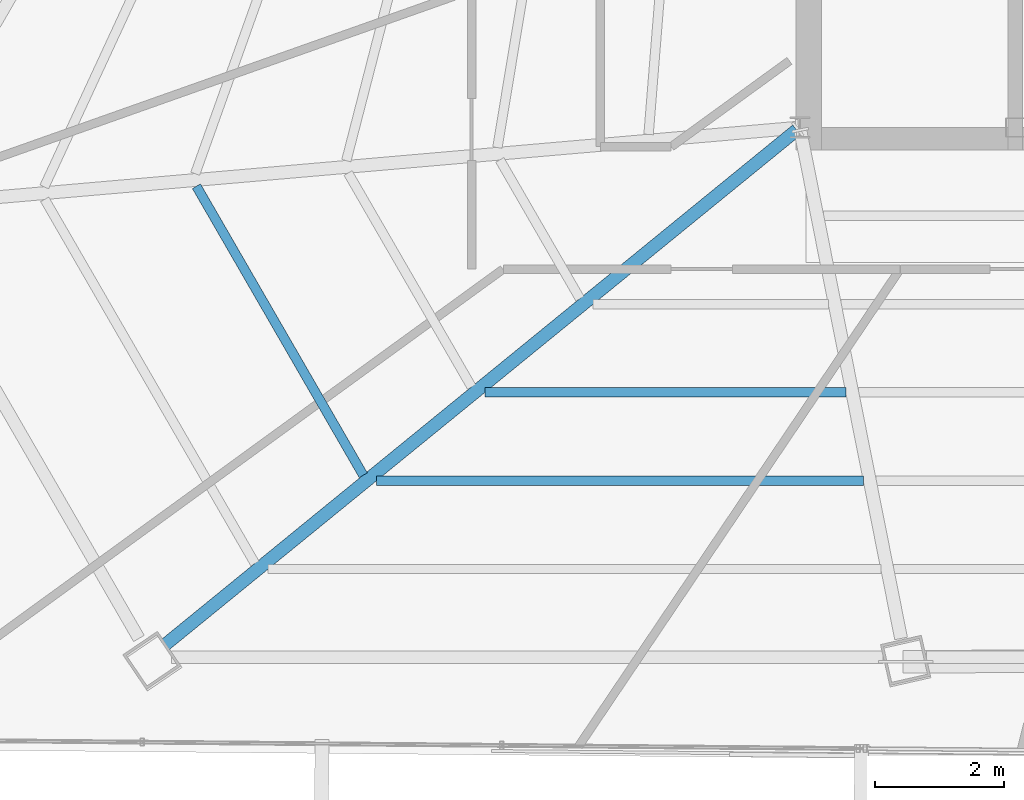
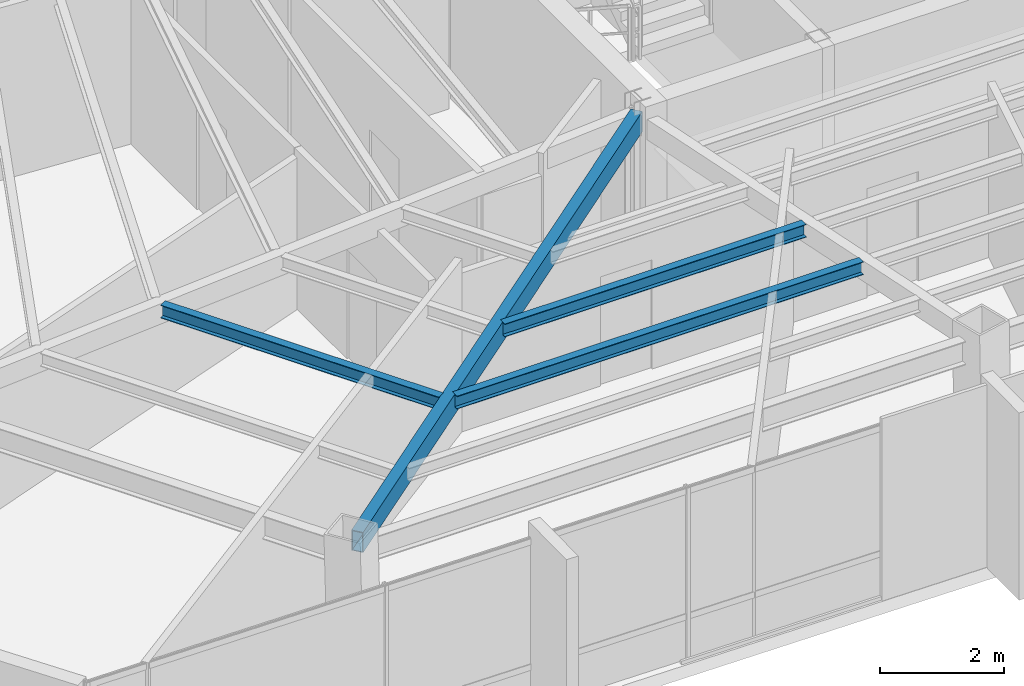
# One storey, part 6 of 42: 4 beams.
"""IFC4 building model written with IfcOpenShell, lengths in metres."""

from ifc_helpers import new_model, si_unit, direction, frame, origin, origin_2d, place, context, subcontext, project, spatial, hollow_rectangle, i_section, extrude, source, transform, mapped, material, material_profile, profile_set, type_object, type_shapes, element, save


model = new_model("IFC4")

# Units and contexts
model_context = context("Model", 3, precision=1e-05, world=origin(), true_north=direction((0.0, 1.0)))
body_context = subcontext(model_context, "Body", "Model", "MODEL_VIEW")
ifc_project = project(units=[si_unit("LENGTHUNIT", "METRE"), si_unit("AREAUNIT", "SQUARE_METRE"), si_unit("VOLUMEUNIT", "CUBIC_METRE"), si_unit("PLANEANGLEUNIT", "RADIAN"), si_unit("MASSUNIT", "GRAM", prefix="KILO")], contexts=[model_context])

# Site, building, storey
site_placement = place(None, origin())
site = spatial("IfcSite", under=ifc_project, at=site_placement, CompositionType="ELEMENT")
building_placement = place(site_placement, origin())
building = spatial("IfcBuilding", under=site, at=building_placement, Name="Caelisora Broadcast Tower", CompositionType="ELEMENT")
storey_placement = place(building_placement, frame((0.0, 0.0, 244.449951171875)))
storey = spatial("IfcBuildingStorey", under=building, at=storey_placement, Name="L64", CompositionType="ELEMENT", Elevation=244.449951171875)

# Beams
ifc_material_1 = material(Name="Steel Grade 350 (AS/NZS 1163 C350L0)", Category="steel")
ifc_material_profile_1 = material_profile(ifc_material_1, hollow_rectangle(XDim=0.199951171875, YDim=0.39990234375, WallThickness=0.012451171875, at=origin_2d()), Name="Steel Grade 350 (AS/NZS 1163 C350L0)")
ifc_profile_set_1 = profile_set([ifc_material_profile_1], Name="Steel Grade 350 (AS/NZS 1163 C350L0)")
beam_type_1 = type_object("IfcBeamType", Name="PG07", PredefinedType="BEAM", material=ifc_profile_set_1)
shared_shape_1 = source(origin(), body_context, "Body", "SweptSolid", [
    extrude(hollow_rectangle(XDim=0.199951171875, YDim=0.39990234375, WallThickness=0.012451171875, at=origin_2d()), origin(), (0.0, 0.0, 1.0), 12.673828125),
])
type_shapes(beam_type_1, [shared_shape_1])
beam_1_placement = place(storey_placement, frame((30.45361328125, 17.362060546875, 3.199951171875), z_axis=(-0.775195155084, -0.631721830819, 0.0), x_axis=(0.631721830819, -0.775195155084, 0.0)))
element("IfcBeam", 1, at=beam_1_placement, inside=storey, type_object=beam_type_1, Name="L64 beam PG07", PredefinedType="BEAM", context=body_context, shape_type="MappedRepresentation", body=[
    mapped(shared_shape_1, transform((0.0, 0.0, 0.0), scale=1.0)),
])
ifc_material_2 = material(Name="Steel Grade 350 (AS/NZS 3679.1)", Category="steel")
ifc_material_profile_2 = material_profile(ifc_material_2, i_section(OverallWidth=0.14599609375, OverallDepth=0.256103515625, WebThickness=0.00634765625, FlangeThickness=0.010986328125, at=origin_2d()), Name="Steel Grade 350 (AS/NZS 3679.1)")
ifc_profile_set_2 = profile_set([ifc_material_profile_2], Name="Steel Grade 350 (AS/NZS 3679.1)")
beam_type_2 = type_object("IfcBeamType", Name="SB04", PredefinedType="JOIST", material=ifc_profile_set_2)
shared_shape_2 = source(origin(), body_context, "Body", "SweptSolid", [
    extrude(i_section(OverallWidth=0.14599609375, OverallDepth=0.256103515625, WebThickness=0.00634765625, FlangeThickness=0.010986328125, at=origin_2d()), origin(), (0.0, 0.0, 1.0), 5.1865234375),
])
beam_2_placement = place(storey_placement, frame((21.122802734375, 16.488525390625, 3.27197265625), z_axis=(0.499996813733, -0.866027243369, 0.0), x_axis=(0.866027243369, 0.499996813733, 0.0)))
element("IfcBeam", 2, at=beam_2_placement, inside=storey, type_object=beam_type_2, Name="L64 beam SB04", PredefinedType="JOIST", context=body_context, shape_type="MappedRepresentation", body=[
    mapped(shared_shape_2, transform((0.0, 0.0, 0.0), scale=1.0)),
])
shared_shape_3 = source(origin(), body_context, "Body", "SweptSolid", [
    extrude(i_section(OverallWidth=0.14599609375, OverallDepth=0.256103515625, WebThickness=0.00634765625, FlangeThickness=0.010986328125, at=origin_2d()), origin(), (0.0, 0.0, 1.0), 5.613037109375),
])
beam_3_placement = place(storey_placement, frame((25.604248046875, 13.28369140625, 3.27197265625), z_axis=(1.0, 0.0, 0.0), x_axis=(0.0, 1.0, 0.0)))
element("IfcBeam", 3, at=beam_3_placement, inside=storey, type_object=beam_type_2, Name="L64 beam SB04", PredefinedType="JOIST", context=body_context, shape_type="MappedRepresentation", body=[
    mapped(shared_shape_3, transform((0.0, 0.0, 0.0), scale=1.0)),
])
shared_shape_4 = source(origin(), body_context, "Body", "SweptSolid", [
    extrude(i_section(OverallWidth=0.14599609375, OverallDepth=0.256103515625, WebThickness=0.00634765625, FlangeThickness=0.010986328125, at=origin_2d()), origin(), (0.0, 0.0, 1.0), 7.56884765625),
])
type_shapes(beam_type_2, [shared_shape_2, shared_shape_3, shared_shape_4])
beam_4_placement = place(storey_placement, frame((23.920654296875, 11.91162109375, 3.27197265625), z_axis=(1.0, 0.0, 0.0), x_axis=(0.0, 1.0, 0.0)))
element("IfcBeam", 4, at=beam_4_placement, inside=storey, type_object=beam_type_2, Name="L64 beam SB04", PredefinedType="JOIST", context=body_context, shape_type="MappedRepresentation", body=[
    mapped(shared_shape_4, transform((0.0, 0.0, 0.0), scale=1.0)),
])

save(model, "model.ifc")
